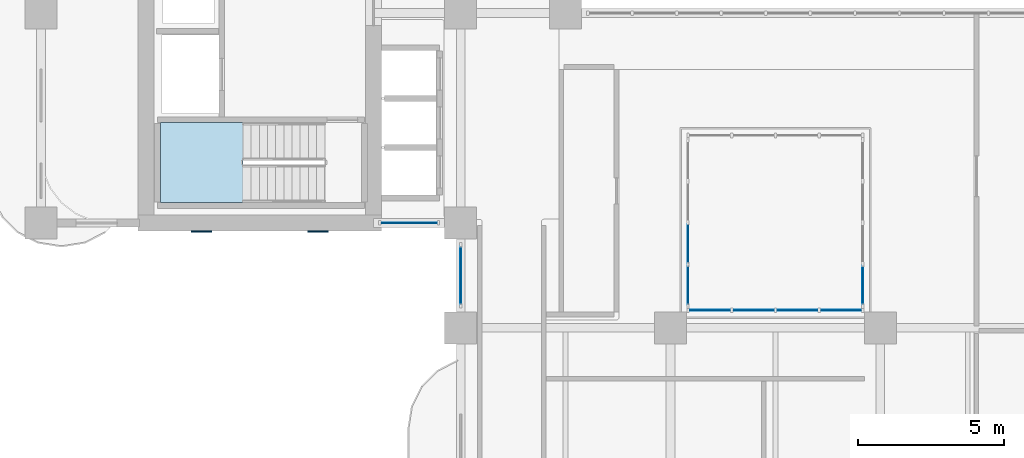
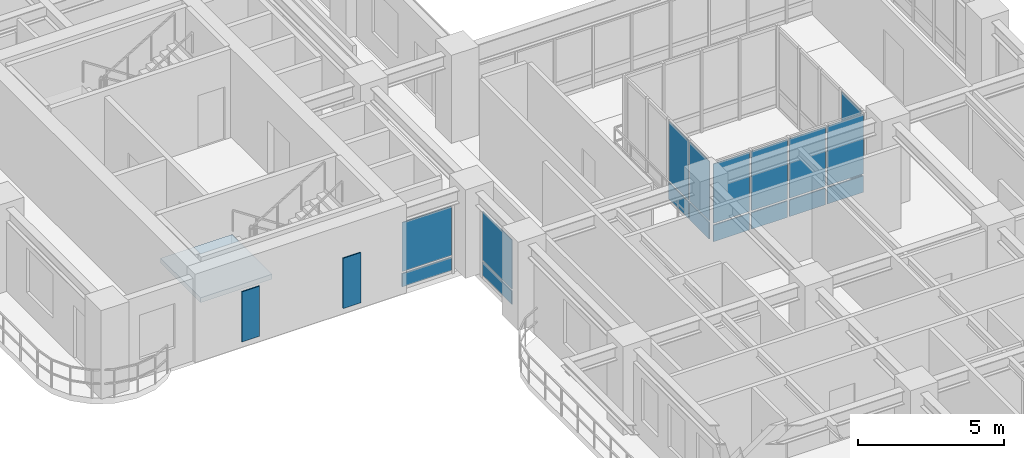
# One storey, part 9 of 22: 20 plates, 1 slab, 6 elements without a shape of their own.
"""IFC4 building model written with IfcOpenShell, lengths in metres."""

import ifcopenshell
import ifcopenshell.guid

model = None  # the IFC model being written
_history = None  # IfcOwnerHistory: only IFC2X3 demands one
_inside = {}  # id of a spatial element -> (the spatial element, [elements in it])
_under = {}  # id of a project, library or spatial element -> (it, [spatial elements below it])
_declared = {}  # id of a project -> (the project, [libraries it declares])
_typed = {}  # id of a type object -> (the type object, [elements of that type])
_made_of = {}  # id of a material, layer set ... -> (it, [elements and type objects made of it])


def new_model(schema):
    """Start an empty IFC model of exactly this schema.

    Asked for "IFC4X3", IfcOpenShell would pick the latest addendum, in which some entities
    have other attributes; the version numbers below select the first issue.
    IFC2X3 requires an IfcOwnerHistory on every rooted entity: one is made here for all.
    """
    global model, _history
    if schema == "IFC4X3":
        model = ifcopenshell.file(schema_version=(4, 3, 0, 0))
    else:
        model = ifcopenshell.file(schema=schema)
    _inside.clear()
    _under.clear()
    _declared.clear()
    _typed.clear()
    _made_of.clear()
    _history = None
    if model.schema == "IFC2X3":
        org = make("IfcOrganization", Name="unknown")
        user = make(
            "IfcPersonAndOrganization",
            ThePerson=make("IfcPerson", FamilyName="unknown"),
            TheOrganization=org,
        )
        app = make(
            "IfcApplication",
            ApplicationDeveloper=org,
            Version="unknown",
            ApplicationFullName="unknown",
            ApplicationIdentifier="unknown",
        )
        _history = make(
            "IfcOwnerHistory",
            OwningUser=user,
            OwningApplication=app,
            ChangeAction="ADDED",
            CreationDate=0,
        )
    return model


def make(cls, **values):
    """One entity of the class cls with the attributes given. An attribute that is None is left unset."""
    return model.create_entity(
        cls, **{name: value for name, value in values.items() if value is not None}
    )


def rooted(cls, **values):
    """An entity with a GlobalId (a new one), such as an element, a storey or a relation."""
    return make(cls, GlobalId=ifcopenshell.guid.new(), OwnerHistory=_history, **values)


def si_unit(unit_type, name, prefix=None):
    """IfcSIUnit, for example si_unit("LENGTHUNIT", "METRE", prefix="MILLI")."""
    return make("IfcSIUnit", UnitType=unit_type, Prefix=prefix, Name=name)


def derived_unit(unit_type, elements):
    """IfcDerivedUnit: a product of units, each with its exponent."""
    return make(
        "IfcDerivedUnit",
        Elements=[
            make("IfcDerivedUnitElement", Unit=unit, Exponent=power)
            for unit, power in elements
        ],
        UnitType=unit_type,
    )


def assignment(units):
    """IfcUnitAssignment: the units of a project."""
    return None if units is None else make("IfcUnitAssignment", Units=units)


def point(xyz):
    """IfcCartesianPoint."""
    return None if xyz is None else make("IfcCartesianPoint", Coordinates=xyz)


def direction(xyz):
    """IfcDirection."""
    return None if xyz is None else make("IfcDirection", DirectionRatios=xyz)


def frame(location, z_axis=None, x_axis=None):
    """IfcAxis2Placement3D, a coordinate frame: its origin and axes. An axis left out is left unset."""
    return make(
        "IfcAxis2Placement3D",
        Location=point(location),
        Axis=direction(z_axis),
        RefDirection=direction(x_axis),
    )


def frame_2d(location, x_axis=None):
    """IfcAxis2Placement2D, a coordinate frame in the plane: its origin and x axis."""
    return make(
        "IfcAxis2Placement2D", Location=point(location), RefDirection=direction(x_axis)
    )


def origin():
    """The frame at (0, 0, 0) with its axes left unset."""
    return frame((0.0, 0.0, 0.0))


def origin_2d():
    """The frame at (0, 0) in the plane with its x axis left unset."""
    return frame_2d((0.0, 0.0))


def place(relative_to, where):
    """IfcLocalPlacement: puts the frame where relative to a parent placement (None: the world)."""
    return make(
        "IfcLocalPlacement", PlacementRelTo=relative_to, RelativePlacement=where
    )


def context(
    kind, dimensions, precision=None, world=None, true_north=None, identifier=None
):
    """IfcGeometricRepresentationContext, for example the 3D "Model" context."""
    return make(
        "IfcGeometricRepresentationContext",
        ContextIdentifier=identifier,
        ContextType=kind,
        CoordinateSpaceDimension=dimensions,
        Precision=precision,
        WorldCoordinateSystem=world,
        TrueNorth=true_north,
    )


def subcontext(parent, identifier, kind, view, scale=None):
    """IfcGeometricRepresentationSubContext, for example "Body" below "Model"."""
    return make(
        "IfcGeometricRepresentationSubContext",
        ContextIdentifier=identifier,
        ContextType=kind,
        ParentContext=parent,
        TargetScale=scale,
        TargetView=view,
    )


def project(units=None, contexts=None):
    """IfcProject with its units and contexts."""
    return rooted(
        "IfcProject",
        Name="project",
        RepresentationContexts=contexts,
        UnitsInContext=assignment(units),
    )


def spatial(cls, under=None, at=None, **own):
    """A site, building, storey or space (cls), placed at a placement, below another one or the project."""
    s = rooted(cls, ObjectPlacement=at, **own)
    if under is not None:
        _under.setdefault(under.id(), (under, []))[1].append(s)
    return s


def polyline(points):
    """IfcPolyline through the points."""
    return make("IfcPolyline", Points=[point(p) for p in points])


def profile(cls, at=None, kind="AREA", **sizes):
    """A parametric profile (cls). Its sizes go by their IFC names, for example OverallWidth=200.0."""
    return make(cls, ProfileType=kind, Position=at, **sizes)


def rectangle(**sizes):
    """IfcRectangleProfileDef."""
    return profile("IfcRectangleProfileDef", **sizes)


def outline(outer, holes=None, kind="AREA"):
    """IfcArbitraryClosedProfileDef: a profile drawn as a closed curve; with holes, ...WithVoids."""
    if holes is None:
        return make("IfcArbitraryClosedProfileDef", ProfileType=kind, OuterCurve=outer)
    return make(
        "IfcArbitraryProfileDefWithVoids",
        ProfileType=kind,
        OuterCurve=outer,
        InnerCurves=holes,
    )


def extrude(swept, where, along, depth):
    """IfcExtrudedAreaSolid: the profile swept, set in the frame where, extruded along a direction by depth."""
    return make(
        "IfcExtrudedAreaSolid",
        SweptArea=swept,
        Position=where,
        ExtrudedDirection=direction(along),
        Depth=depth,
    )


def shape(context_of_items, identifier, shape_type, items):
    """IfcShapeRepresentation: the items that make up one representation, for example the "Body"."""
    return make(
        "IfcShapeRepresentation",
        ContextOfItems=context_of_items,
        RepresentationIdentifier=identifier,
        RepresentationType=shape_type,
        Items=items,
    )


def source(mapping_origin, context_of_items, identifier, shape_type, items):
    """IfcRepresentationMap: a shape defined once, which mapped items show again and again."""
    return make(
        "IfcRepresentationMap",
        MappingOrigin=mapping_origin,
        MappedRepresentation=shape(context_of_items, identifier, shape_type, items),
    )


def transform(
    local_origin,
    x_axis=None,
    y_axis=None,
    z_axis=None,
    scale=None,
    scale2=None,
    scale3=None,
    uniform=True,
):
    """IfcCartesianTransformationOperator3D, or its non-uniform kind. x_axis, y_axis, z_axis: its Axis1, 2, 3."""
    if uniform:
        return make(
            "IfcCartesianTransformationOperator3D",
            Axis1=direction(x_axis),
            Axis2=direction(y_axis),
            LocalOrigin=point(local_origin),
            Scale=scale,
            Axis3=direction(z_axis),
        )
    return make(
        "IfcCartesianTransformationOperator3DnonUniform",
        Axis1=direction(x_axis),
        Axis2=direction(y_axis),
        LocalOrigin=point(local_origin),
        Scale=scale,
        Axis3=direction(z_axis),
        Scale2=scale2,
        Scale3=scale3,
    )


def mapped(mapping_source, mapping_target):
    """IfcMappedItem: shows the shape of a source again, moved by a transform."""
    return make(
        "IfcMappedItem", MappingSource=mapping_source, MappingTarget=mapping_target
    )


def material(Name=None, Category=None):
    """IfcMaterial."""
    return make("IfcMaterial", Name=Name, Category=Category)


def layer(
    of_material, thickness, ventilated=None, Name=None, Category=None, Priority=None
):
    """IfcMaterialLayer: one layer of a wall or slab, of a material (None: an air gap)."""
    return make(
        "IfcMaterialLayer",
        Material=of_material,
        LayerThickness=thickness,
        IsVentilated=ventilated,
        Name=Name,
        Category=Category,
        Priority=Priority,
    )


def layer_set(layers, Name=None):
    """IfcMaterialLayerSet."""
    return make("IfcMaterialLayerSet", MaterialLayers=layers, LayerSetName=Name)


def made_of(thing, what):
    """Note that an element or type object is made of a material, layer set ...; save() writes the relation."""
    if what is not None:
        _made_of.setdefault(what.id(), (what, []))[1].append(thing)
    return thing


def type_object(cls, material=None, **own):
    """A type object (cls), such as IfcWallType, which elements share."""
    return made_of(rooted(cls, **own), material)


def type_shapes(of_type, sources):
    """Give a type object the sources (RepresentationMaps) that its elements show as mapped items."""
    of_type.RepresentationMaps = sources


def element(
    cls,
    number,
    at=None,
    inside=None,
    cuts=None,
    type_object=None,
    material=None,
    context=None,
    identifier="Body",
    shape_type=None,
    held_by="IfcProductDefinitionShape",
    body=None,
    shapes=None,
    **own,
):
    """One element of the class cls, such as IfcWall. Its Tag is "e" and its number.

    at: its placement. inside: the storey or other place that contains it. cuts: it is an
    opening in that element (IfcRelVoidsElement). A single representation is given by context,
    identifier, shape_type and body (its items); several are given by shapes. held_by: the class
    of the entity that holds the representations. save() writes the other relations.
    """
    e = rooted(cls, Tag="e%d" % number, ObjectPlacement=at, **own)
    if body is not None:
        shapes = [shape(context, identifier, shape_type, body)]
    if shapes is not None:
        e.Representation = make(held_by, Representations=shapes)
    if inside is not None:
        _inside.setdefault(inside.id(), (inside, []))[1].append(e)
    if cuts is not None:
        rooted(
            "IfcRelVoidsElement", RelatingBuildingElement=cuts, RelatedOpeningElement=e
        )
    if type_object is not None:
        _typed.setdefault(type_object.id(), (type_object, []))[1].append(e)
    return made_of(e, material)


def aggregate(whole, parts):
    """IfcRelAggregates: a whole, such as a stair, and the parts it consists of."""
    return rooted("IfcRelAggregates", RelatingObject=whole, RelatedObjects=parts)


def save(model, path):
    """Write the relations noted so far, then the file.

    IfcRelAggregates (storeys below a building ...), IfcRelContainedInSpatialStructure (elements
    in a storey), IfcRelDefinesByType, IfcRelAssociatesMaterial and IfcRelDeclares: one each for
    every whole, place, type object, material and project.
    """
    for whole, parts in _under.values():
        aggregate(whole, parts)
    for where, things in _inside.values():
        rooted(
            "IfcRelContainedInSpatialStructure",
            RelatedElements=things,
            RelatingStructure=where,
        )
    for kind, things in _typed.values():
        rooted("IfcRelDefinesByType", RelatedObjects=things, RelatingType=kind)
    for what, things in _made_of.values():
        rooted("IfcRelAssociatesMaterial", RelatedObjects=things, RelatingMaterial=what)
    for by, libraries in _declared.values():
        rooted("IfcRelDeclares", RelatingContext=by, RelatedDefinitions=libraries)
    model.write(path)


model = new_model("IFC4")

# Units and contexts
model_context = context("Model", 3, precision=1e-05, world=origin(), true_north=direction((0.0, 1.0)))
body_context = subcontext(model_context, "Body", "Model", "MODEL_VIEW")
ifc_project = project(units=[si_unit("LENGTHUNIT", "METRE"), si_unit("AREAUNIT", "SQUARE_METRE"), si_unit("VOLUMEUNIT", "CUBIC_METRE"), si_unit("PLANEANGLEUNIT", "RADIAN"), si_unit("MASSUNIT", "GRAM", prefix="KILO"), si_unit("THERMODYNAMICTEMPERATUREUNIT", "KELVIN"), si_unit("POWERUNIT", "WATT"), derived_unit("THERMALTRANSMITTANCEUNIT", [(si_unit("POWERUNIT", "WATT"), 1), (si_unit("AREAUNIT", "SQUARE_METRE"), -1), (si_unit("THERMODYNAMICTEMPERATUREUNIT", "KELVIN"), -1)])], contexts=[model_context])

# Site, building, storey
site_placement = place(None, origin())
site = spatial("IfcSite", under=ifc_project, at=site_placement, CompositionType="ELEMENT")
building_placement = place(site_placement, origin())
building = spatial("IfcBuilding", under=site, at=building_placement, Name="Zahravan Archway Hotel and Residences", CompositionType="ELEMENT")
storey_placement = place(building_placement, frame((0.0, 0.0, 87.89990234375)))
storey = spatial("IfcBuildingStorey", under=building, at=storey_placement, Name="L21", CompositionType="ELEMENT", Elevation=87.89990234375)

# Stair, slab
ifc_material_1 = material(Name="Concrete C50/60", Category="concrete")
stair_type = type_object("IfcStairType", Name="STR-CORE-1300", PredefinedType="HALF_TURN_STAIR", material=ifc_material_1)
stair_placement = place(storey_placement, origin())
stair = element("IfcStair", 1, at=stair_placement, inside=storey, type_object=stair_type, Name="L21 Core B Exit Stair 1", PredefinedType="HALF_TURN_STAIR")
ifc_layer_1 = layer(ifc_material_1, 0.199951171875, Name="Concrete C50/60", Category="concrete")
ifc_layer_set_1 = layer_set([ifc_layer_1], Name="Concrete C50/60")
slab_type = type_object("IfcSlabType", Name="SLB-LND-200", PredefinedType="LANDING", material=ifc_layer_set_1)
slab_placement = place(storey_placement, frame((0.0, 0.0, 1.650146484375)))
slab = element("IfcSlab", 2, at=slab_placement, type_object=slab_type, Name="ST-B1 landing 1", PredefinedType="LANDING", context=body_context, shape_type="SweptSolid", body=[
    extrude(outline(polyline([(6.929931640625, 28.639892578125), (4.10009765625, 28.639892578125), (4.10009765625, 25.89990234375), (6.929931640625, 25.89990234375), (6.929931640625, 28.639892578125)])), origin(), (0.0, 0.0, 1.0), 0.199951171875),
])
aggregate(stair, [slab])

# Plates
ifc_material_2 = material(Name="Perforated Cast Bronze Jali Lattice")
ifc_layer_2 = layer(ifc_material_2, 0.044921875, Name="Perforated Cast Bronze Jali Lattice")
ifc_layer_set_2 = layer_set([ifc_layer_2], Name="Perforated Cast Bronze Jali Lattice")
plate_type_1 = type_object("IfcPlateType", Name="PLT-JALI-BAY", PredefinedType="USERDEFINED", material=ifc_layer_set_2)
shared_shape_1 = source(origin(), body_context, "Body", "SweptSolid", [
    extrude(rectangle(XDim=0.699951171875, YDim=0.044921875, at=origin_2d()), origin(), (0.0, 0.0, 1.0), 2.10009765625),
])
type_shapes(plate_type_1, [shared_shape_1])
for number, where, z_axis, x_axis, name in (
    (3, (5.5, 24.906982421875, 0.25), (0.0, 0.0, 1.0), (1.0, 0.0, 0.0), "L21 Core B South Mughal Jali Screen 1"),
    (4, (9.5, 24.906982421875, 0.25), (0.0, 0.0, 1.0), (1.0, 0.0, 0.0), "L21 Core B South Mughal Jali Screen 2"),
):
    element("IfcPlate", number, at=place(storey_placement, frame(where, z_axis=z_axis, x_axis=x_axis)), inside=storey, type_object=plate_type_1, Name=name, ObjectType="SCREEN", PredefinedType="USERDEFINED", context=body_context, shape_type="MappedRepresentation", body=[
        mapped(shared_shape_1, transform((0.0, 0.0, 0.0), scale=1.0)),
    ])

# Curtain wall, plates
ifc_material_3 = material(Name="Bronze-Anodized Unitised Aluminium & Low-E Glass", Category="aluminium")
ifc_layer_3 = layer(ifc_material_3, 0.179931640625, Name="Bronze-Anodized Unitised Aluminium & Low-E Glass", Category="aluminium")
ifc_layer_set_3 = layer_set([ifc_layer_3], Name="Bronze-Anodized Unitised Aluminium & Low-E Glass")
curtain_wall_type = type_object("IfcCurtainWallType", Name="CW-ATR-GLAZ", PredefinedType="NOTDEFINED", material=ifc_layer_set_3)
curtain_wall_1_placement = place(storey_placement, origin())
curtain_wall_1 = element("IfcCurtainWall", 5, at=curtain_wall_1_placement, inside=storey, type_object=curtain_wall_type, Name="L21 Curtain Wall CW-L21-WB-SE-1", PredefinedType="NOTDEFINED")
ifc_material_4 = material(Name="Insulated Terracotta Spandrel Panel", Category="masonry")
ifc_layer_4 = layer(ifc_material_4, 0.0400390625, Name="Insulated Terracotta Spandrel Panel", Category="masonry")
ifc_layer_set_4 = layer_set([ifc_layer_4], Name="Insulated Terracotta Spandrel Panel")
plate_type_2 = type_object("IfcPlateType", Name="CWP-SPN-40", PredefinedType="SHEET", material=ifc_layer_set_4)
shared_shape_2 = source(origin(), body_context, "Body", "SweptSolid", [
    extrude(rectangle(XDim=1.93994140625, YDim=0.0400390625, at=origin_2d()), origin(), (0.0, 0.0, 1.0), 0.552490234375),
])
plate_1_placement = place(storey_placement, frame((12.6298828125, 25.199951171875, 0.10009765625), z_axis=(0.0, 0.0, 1.0), x_axis=(1.0, 0.0, 0.0)))
plate_1 = element("IfcPlate", 6, at=plate_1_placement, type_object=plate_type_2, Name="CW-L21-WB-SE-1 Spandrel Panel 0", PredefinedType="SHEET", context=body_context, shape_type="MappedRepresentation", body=[
    mapped(shared_shape_2, transform((0.0, 0.0, 0.0), scale=1.0)),
])
ifc_material_5 = material(Name="Double-Silver Low-E Insulated Vision Glass", Category="glass")
ifc_layer_5 = layer(ifc_material_5, 0.028076171875, Name="Double-Silver Low-E Insulated Vision Glass", Category="glass")
ifc_layer_set_5 = layer_set([ifc_layer_5], Name="Double-Silver Low-E Insulated Vision Glass")
plate_type_3 = type_object("IfcPlateType", Name="CWP-GLZ-28", PredefinedType="CURTAIN_PANEL", material=ifc_layer_set_5)
shared_shape_3 = source(origin(), body_context, "Body", "SweptSolid", [
    extrude(rectangle(XDim=1.93994140625, YDim=0.028076171875, at=origin_2d()), origin(), (0.0, 0.0, 1.0), 2.052490234375),
])
plate_2_placement = place(storey_placement, frame((12.6298828125, 25.199951171875, 0.732421875), z_axis=(0.0, 0.0, 1.0), x_axis=(1.0, 0.0, 0.0)))
plate_2 = element("IfcPlate", 7, at=plate_2_placement, type_object=plate_type_3, Name="CW-L21-WB-SE-1 Low-E Vision Panel 0", PredefinedType="CURTAIN_PANEL", context=body_context, shape_type="MappedRepresentation", body=[
    mapped(shared_shape_3, transform((0.0, 0.0, 0.0), scale=1.0)),
])
aggregate(curtain_wall_1, [plate_1, plate_2])

curtain_wall_2_placement = place(storey_placement, origin())
curtain_wall_2 = element("IfcCurtainWall", 8, at=curtain_wall_2_placement, inside=storey, type_object=curtain_wall_type, Name="L21 Curtain Wall CW-L21-WA-WLU-1", PredefinedType="NOTDEFINED")
shared_shape_4 = source(origin(), body_context, "Body", "SweptSolid", [
    extrude(rectangle(XDim=2.0, YDim=0.0400390625, at=origin_2d()), origin(), (0.0, 0.0, 1.0), 0.552490234375),
])
plate_3_placement = place(storey_placement, frame((14.39990234375, 23.39990234375, 0.10009765625), z_axis=(0.0, 0.0, 1.0), x_axis=(0.0, 1.0, 0.0)))
plate_3 = element("IfcPlate", 9, at=plate_3_placement, type_object=plate_type_2, Name="CW-L21-WA-WLU-1 Spandrel Panel 0", PredefinedType="SHEET", context=body_context, shape_type="MappedRepresentation", body=[
    mapped(shared_shape_4, transform((0.0, 0.0, 0.0), scale=1.0)),
])
shared_shape_5 = source(origin(), body_context, "Body", "SweptSolid", [
    extrude(rectangle(XDim=2.0, YDim=0.028076171875, at=origin_2d()), origin(), (0.0, 0.0, 1.0), 2.052490234375),
])
plate_4_placement = place(storey_placement, frame((14.39990234375, 23.39990234375, 0.732421875), z_axis=(0.0, 0.0, 1.0), x_axis=(0.0, 1.0, 0.0)))
plate_4 = element("IfcPlate", 10, at=plate_4_placement, type_object=plate_type_3, Name="CW-L21-WA-WLU-1 Low-E Vision Panel 0", PredefinedType="CURTAIN_PANEL", context=body_context, shape_type="MappedRepresentation", body=[
    mapped(shared_shape_5, transform((0.0, 0.0, 0.0), scale=1.0)),
])
aggregate(curtain_wall_2, [plate_3, plate_4])

curtain_wall_3_placement = place(storey_placement, origin())
curtain_wall_3 = element("IfcCurtainWall", 11, at=curtain_wall_3_placement, inside=storey, type_object=curtain_wall_type, Name="L21 Curtain Wall CW-ATR-L21-S-1", PredefinedType="NOTDEFINED")
shared_shape_6 = source(origin(), body_context, "Body", "SweptSolid", [
    extrude(rectangle(XDim=1.419921875, YDim=0.0400390625, at=origin_2d()), origin(), (0.0, 0.0, 1.0), 0.68798828125),
])
plate_5_placement = place(storey_placement, frame((22.949951171875, 22.199951171875, 0.10009765625), z_axis=(0.0, 0.0, 1.0), x_axis=(1.0, 0.0, 0.0)))
plate_5 = element("IfcPlate", 12, at=plate_5_placement, type_object=plate_type_2, Name="CW-ATR-L21-S-1 Spandrel Panel 0", PredefinedType="SHEET", context=body_context, shape_type="MappedRepresentation", body=[
    mapped(shared_shape_6, transform((0.0, 0.0, 0.0), scale=1.0)),
])
plate_6_placement = place(storey_placement, frame((24.449951171875, 22.199951171875, 0.10009765625), z_axis=(0.0, 0.0, 1.0), x_axis=(1.0, 0.0, 0.0)))
plate_6 = element("IfcPlate", 13, at=plate_6_placement, type_object=plate_type_2, Name="CW-ATR-L21-S-1 Spandrel Panel 1", PredefinedType="SHEET", context=body_context, shape_type="MappedRepresentation", body=[
    mapped(shared_shape_6, transform((0.0, 0.0, 0.0), scale=1.0)),
])
plate_7_placement = place(storey_placement, frame((25.949951171875, 22.199951171875, 0.10009765625), z_axis=(0.0, 0.0, 1.0), x_axis=(1.0, 0.0, 0.0)))
plate_7 = element("IfcPlate", 14, at=plate_7_placement, type_object=plate_type_2, Name="CW-ATR-L21-S-1 Spandrel Panel 2", PredefinedType="SHEET", context=body_context, shape_type="MappedRepresentation", body=[
    mapped(shared_shape_6, transform((0.0, 0.0, 0.0), scale=1.0)),
])
plate_8_placement = place(storey_placement, frame((27.449951171875, 22.199951171875, 0.10009765625), z_axis=(0.0, 0.0, 1.0), x_axis=(1.0, 0.0, 0.0)))
plate_8 = element("IfcPlate", 15, at=plate_8_placement, type_object=plate_type_2, Name="CW-ATR-L21-S-1 Spandrel Panel 3", PredefinedType="SHEET", context=body_context, shape_type="MappedRepresentation", body=[
    mapped(shared_shape_6, transform((0.0, 0.0, 0.0), scale=1.0)),
])
shared_shape_7 = source(origin(), body_context, "Body", "SweptSolid", [
    extrude(rectangle(XDim=1.419921875, YDim=0.028076171875, at=origin_2d()), origin(), (0.0, 0.0, 1.0), 2.48193359375),
])
plate_9_placement = place(storey_placement, frame((22.949951171875, 22.199951171875, 0.8681640625), z_axis=(0.0, 0.0, 1.0), x_axis=(1.0, 0.0, 0.0)))
plate_9 = element("IfcPlate", 16, at=plate_9_placement, type_object=plate_type_3, Name="CW-ATR-L21-S-1 Low-E Vision Panel 0", PredefinedType="CURTAIN_PANEL", context=body_context, shape_type="MappedRepresentation", body=[
    mapped(shared_shape_7, transform((0.0, 0.0, 0.0), scale=1.0)),
])
plate_10_placement = place(storey_placement, frame((24.449951171875, 22.199951171875, 0.8681640625), z_axis=(0.0, 0.0, 1.0), x_axis=(1.0, 0.0, 0.0)))
plate_10 = element("IfcPlate", 17, at=plate_10_placement, type_object=plate_type_3, Name="CW-ATR-L21-S-1 Low-E Vision Panel 1", PredefinedType="CURTAIN_PANEL", context=body_context, shape_type="MappedRepresentation", body=[
    mapped(shared_shape_7, transform((0.0, 0.0, 0.0), scale=1.0)),
])
plate_11_placement = place(storey_placement, frame((25.949951171875, 22.199951171875, 0.8681640625), z_axis=(0.0, 0.0, 1.0), x_axis=(1.0, 0.0, 0.0)))
plate_11 = element("IfcPlate", 18, at=plate_11_placement, type_object=plate_type_3, Name="CW-ATR-L21-S-1 Low-E Vision Panel 2", PredefinedType="CURTAIN_PANEL", context=body_context, shape_type="MappedRepresentation", body=[
    mapped(shared_shape_7, transform((0.0, 0.0, 0.0), scale=1.0)),
])
plate_12_placement = place(storey_placement, frame((27.449951171875, 22.199951171875, 0.8681640625), z_axis=(0.0, 0.0, 1.0), x_axis=(1.0, 0.0, 0.0)))
plate_12 = element("IfcPlate", 19, at=plate_12_placement, type_object=plate_type_3, Name="CW-ATR-L21-S-1 Low-E Vision Panel 3", PredefinedType="CURTAIN_PANEL", context=body_context, shape_type="MappedRepresentation", body=[
    mapped(shared_shape_7, transform((0.0, 0.0, 0.0), scale=1.0)),
])
aggregate(curtain_wall_3, [plate_5, plate_9, plate_6, plate_10, plate_7, plate_11, plate_8, plate_12])

curtain_wall_4_placement = place(storey_placement, origin())
curtain_wall_4 = element("IfcCurtainWall", 20, at=curtain_wall_4_placement, inside=storey, type_object=curtain_wall_type, Name="L21 Curtain Wall CW-ATR-L21-W-1", PredefinedType="NOTDEFINED")
shared_shape_8 = source(origin(), body_context, "Body", "SweptSolid", [
    extrude(rectangle(XDim=1.344970703125, YDim=0.0400390625, at=origin_2d()), origin(), (0.0, 0.0, 1.0), 0.68798828125),
])
plate_13_placement = place(storey_placement, frame((22.199951171875, 23.0625, 0.10009765625), z_axis=(0.0, 0.0, 1.0), x_axis=(0.0, 1.0, 0.0)))
plate_13 = element("IfcPlate", 21, at=plate_13_placement, type_object=plate_type_2, Name="CW-ATR-L21-W-1 Spandrel Panel 0", PredefinedType="SHEET", context=body_context, shape_type="MappedRepresentation", body=[
    mapped(shared_shape_8, transform((0.0, 0.0, 0.0), scale=1.0)),
])
plate_14_placement = place(storey_placement, frame((22.199951171875, 24.487548828125, 0.10009765625), z_axis=(0.0, 0.0, 1.0), x_axis=(0.0, 1.0, 0.0)))
plate_14 = element("IfcPlate", 22, at=plate_14_placement, type_object=plate_type_2, Name="CW-ATR-L21-W-1 Spandrel Panel 1", PredefinedType="SHEET", context=body_context, shape_type="MappedRepresentation", body=[
    mapped(shared_shape_8, transform((0.0, 0.0, 0.0), scale=1.0)),
])

# Curtain wall, plate
curtain_wall_5_placement = place(storey_placement, origin())
curtain_wall_5 = element("IfcCurtainWall", 23, at=curtain_wall_5_placement, inside=storey, type_object=curtain_wall_type, Name="L21 Curtain Wall CW-ATR-L21-E-1", PredefinedType="NOTDEFINED")
plate_15_placement = place(storey_placement, frame((28.199951171875, 23.0625, 0.10009765625), z_axis=(0.0, 0.0, 1.0), x_axis=(0.0, 1.0, 0.0)))
plate_15 = element("IfcPlate", 24, at=plate_15_placement, type_object=plate_type_2, Name="CW-ATR-L21-E-1 Spandrel Panel 0", PredefinedType="SHEET", context=body_context, shape_type="MappedRepresentation", body=[
    mapped(shared_shape_8, transform((0.0, 0.0, 0.0), scale=1.0)),
])

# Plate
shared_shape_9 = source(origin(), body_context, "Body", "SweptSolid", [
    extrude(rectangle(XDim=1.344970703125, YDim=0.028076171875, at=origin_2d()), origin(), (0.0, 0.0, 1.0), 2.48193359375),
])
plate_16_placement = place(storey_placement, frame((22.199951171875, 23.0625, 0.8681640625), z_axis=(0.0, 0.0, 1.0), x_axis=(0.0, 1.0, 0.0)))
plate_16 = element("IfcPlate", 25, at=plate_16_placement, type_object=plate_type_3, Name="CW-ATR-L21-W-1 Low-E Vision Panel 0", PredefinedType="CURTAIN_PANEL", context=body_context, shape_type="MappedRepresentation", body=[
    mapped(shared_shape_9, transform((0.0, 0.0, 0.0), scale=1.0)),
])

plate_17_placement = place(storey_placement, frame((22.199951171875, 24.487548828125, 0.8681640625), z_axis=(0.0, 0.0, 1.0), x_axis=(0.0, 1.0, 0.0)))
plate_17 = element("IfcPlate", 26, at=plate_17_placement, type_object=plate_type_3, Name="CW-ATR-L21-W-1 Low-E Vision Panel 1", PredefinedType="CURTAIN_PANEL", context=body_context, shape_type="MappedRepresentation", body=[
    mapped(shared_shape_9, transform((0.0, 0.0, 0.0), scale=1.0)),
])

aggregate(curtain_wall_4, [plate_13, plate_16, plate_14, plate_17])

plate_18_placement = place(storey_placement, frame((28.199951171875, 23.0625, 0.8681640625), z_axis=(0.0, 0.0, 1.0), x_axis=(0.0, 1.0, 0.0)))
plate_18 = element("IfcPlate", 27, at=plate_18_placement, type_object=plate_type_3, Name="CW-ATR-L21-E-1 Low-E Vision Panel 0", PredefinedType="CURTAIN_PANEL", context=body_context, shape_type="MappedRepresentation", body=[
    mapped(shared_shape_9, transform((0.0, 0.0, 0.0), scale=1.0)),
])

aggregate(curtain_wall_5, [plate_15, plate_18])

save(model, "model.ifc")
